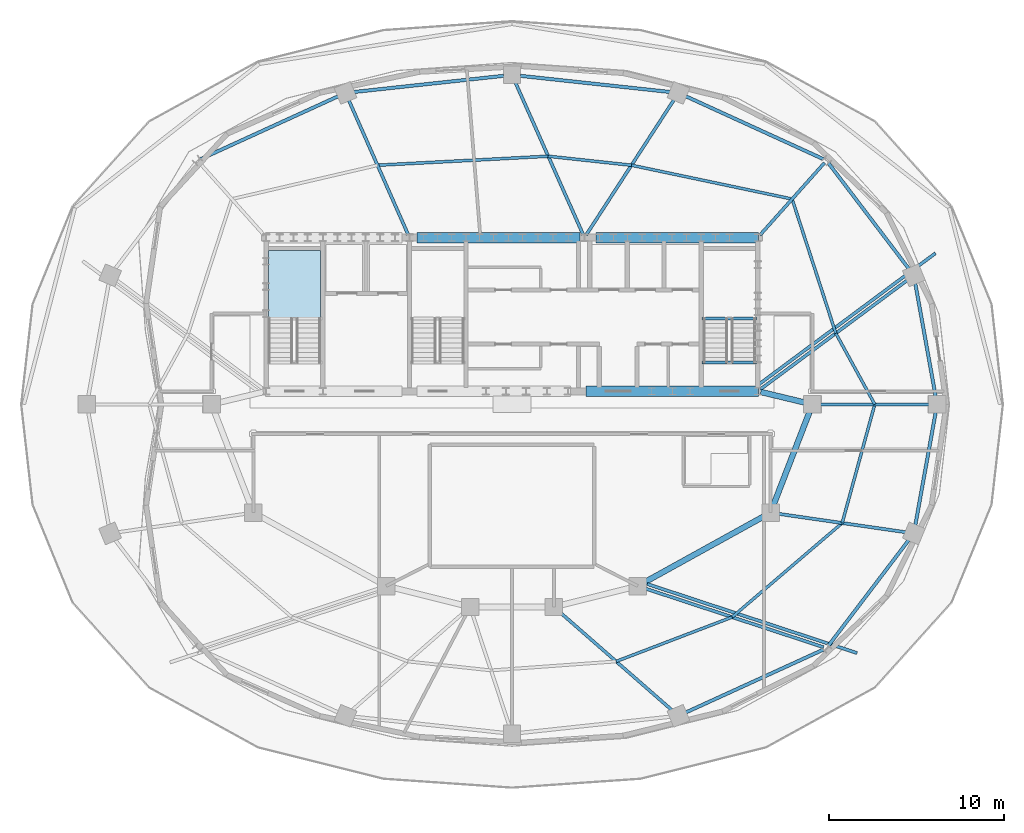
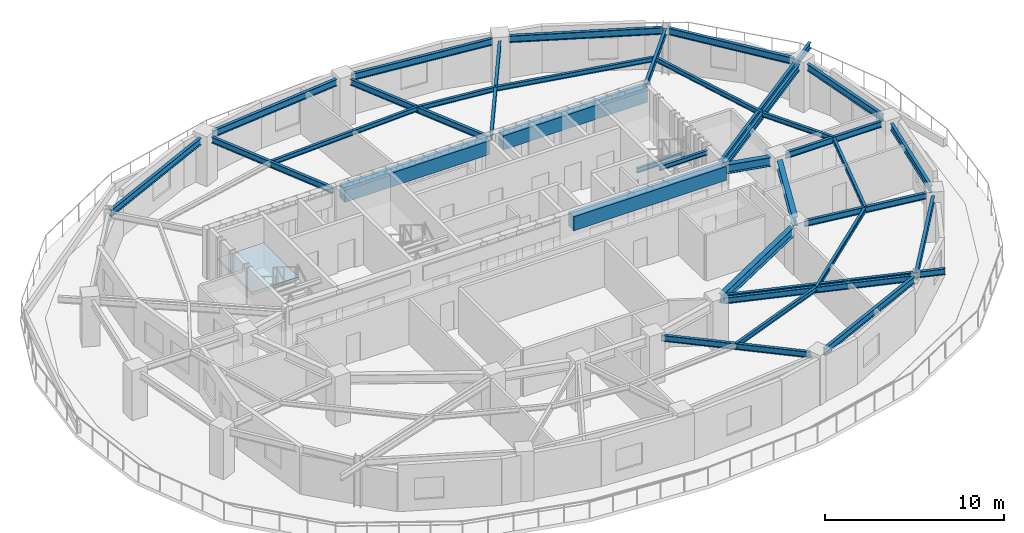
# One storey, part 2 of 10: 36 beams, 1 slab, 1 element without a shape of its own.
"""IFC4 building model written with IfcOpenShell, lengths in metres."""

from ifc_helpers import new_model, si_unit, direction, frame, origin, origin_2d, place, context, subcontext, project, spatial, polyline, rectangle, i_section, outline, extrude, material, layer, layer_set, material_profile, profile_set, type_object, element, aggregate, save


model = new_model("IFC4")

# Units and contexts
model_context = context("Model", 3, precision=1e-05, world=origin(), true_north=direction((0.0, 1.0)))
body_context = subcontext(model_context, "Body", "Model", "MODEL_VIEW")
ifc_project = project(units=[si_unit("LENGTHUNIT", "METRE"), si_unit("AREAUNIT", "SQUARE_METRE"), si_unit("VOLUMEUNIT", "CUBIC_METRE"), si_unit("PLANEANGLEUNIT", "RADIAN"), si_unit("MASSUNIT", "GRAM", prefix="KILO")], contexts=[model_context])

# Site, building, storey
site_placement = place(None, origin())
site = spatial("IfcSite", under=ifc_project, at=site_placement, CompositionType="ELEMENT")
building_placement = place(site_placement, origin())
building = spatial("IfcBuilding", under=site, at=building_placement, Name="Haldorwick Loom Tower", CompositionType="ELEMENT")
storey_placement = place(building_placement, frame((0.0, 0.0, 240.89990234375)))
storey = spatial("IfcBuildingStorey", under=building, at=storey_placement, Name="L65", CompositionType="ELEMENT", Elevation=240.89990234375)

# Beams
ifc_material_1 = material(Name="Steel CSA G40.21 350W", Category="steel")
ifc_material_profile_1 = material_profile(ifc_material_1, i_section(OverallWidth=0.179931640625, OverallDepth=0.4130859375, WebThickness=0.009765625, FlangeThickness=0.01611328125, at=origin_2d()), Name="W410X74", Category="steel")
ifc_profile_set_1 = profile_set([ifc_material_profile_1], Name="Steel CSA G40.21 350W")
beam_type_1 = type_object("IfcBeamType", Name="STR-BM-BAL410", PredefinedType="BEAM", material=ifc_profile_set_1)
beam_1_placement = place(storey_placement, frame((43.73876953125, 15.71728515625, 3.003662109375), z_axis=(0.949823383564, -0.312786732512, 0.0), x_axis=(0.312786732512, 0.949823383564, 0.0)))
element("IfcBeam", 1, at=beam_1_placement, inside=storey, type_object=beam_type_1, Name="L65 Continuous Back-Spanned Balcony Beam 1", PredefinedType="BEAM", context=body_context, shape_type="SweptSolid", body=[
    extrude(i_section(OverallWidth=0.179931640625, OverallDepth=0.4130859375, WebThickness=0.009765625, FlangeThickness=0.01611328125, at=origin_2d()), origin(), (0.0, 0.0, 1.0), 12.65087890625),
])
beam_2_placement = place(storey_placement, frame((50.0458984375, 27.080810546875, 3.003662109375), z_axis=(0.802800628814, 0.596247557962, 0.0), x_axis=(-0.596247557962, 0.802800628814, 0.0)))
element("IfcBeam", 2, at=beam_2_placement, inside=storey, type_object=beam_type_1, Name="L65 Continuous Back-Spanned Balcony Beam 4", PredefinedType="BEAM", context=body_context, shape_type="SweptSolid", body=[
    extrude(i_section(OverallWidth=0.179931640625, OverallDepth=0.4130859375, WebThickness=0.009765625, FlangeThickness=0.01611328125, at=origin_2d()), origin(), (0.0, 0.0, 1.0), 12.701416015625),
])
ifc_material_2 = material(Name="Concrete C50 (50 MPa)", Category="concrete")
ifc_material_profile_2 = material_profile(ifc_material_2, rectangle(XDim=0.60009765625, YDim=0.949951171875, at=origin_2d()), Name="RC600X950", Category="concrete")
ifc_profile_set_2 = profile_set([ifc_material_profile_2], Name="Concrete C50 (50 MPa)")
beam_type_2 = type_object("IfcBeamType", Name="STR-BM-CB950", PredefinedType="LINTEL", material=ifc_profile_set_2)
beam_3_placement = place(storey_placement, frame((30.550048828125, 35.550048828125, 2.735107421875), z_axis=(1.0, 0.0, 0.0), x_axis=(0.0, 1.0, 0.0)))
element("IfcBeam", 3, at=beam_3_placement, inside=storey, type_object=beam_type_2, Name="L65 Core Coupling Beam CB-N2", PredefinedType="LINTEL", context=body_context, shape_type="SweptSolid", body=[
    extrude(rectangle(XDim=0.60009765625, YDim=0.949951171875, at=origin_2d()), origin(), (0.0, 0.0, 1.0), 9.349853515625),
])
beam_4_placement = place(storey_placement, frame((40.800048828125, 35.550048828125, 2.735107421875), z_axis=(1.0, 0.0, 0.0), x_axis=(0.0, 1.0, 0.0)))
element("IfcBeam", 4, at=beam_4_placement, inside=storey, type_object=beam_type_2, Name="L65 Core Coupling Beam CB-N3", PredefinedType="LINTEL", context=body_context, shape_type="SweptSolid", body=[
    extrude(rectangle(XDim=0.60009765625, YDim=0.949951171875, at=origin_2d()), origin(), (0.0, 0.0, 1.0), 9.300048828125),
])
beam_5_placement = place(storey_placement, frame((40.25, 26.75, 2.735107421875), z_axis=(1.0, 0.0, 0.0), x_axis=(0.0, 1.0, 0.0)))
element("IfcBeam", 5, at=beam_5_placement, inside=storey, type_object=beam_type_2, Name="L65 Core Coupling Beam CB-S3", PredefinedType="LINTEL", context=body_context, shape_type="SweptSolid", body=[
    extrude(rectangle(XDim=0.60009765625, YDim=0.949951171875, at=origin_2d()), origin(), (0.0, 0.0, 1.0), 9.85009765625),
])
ifc_material_profile_3 = material_profile(ifc_material_1, i_section(OverallWidth=0.166015625, OverallDepth=0.31298828125, WebThickness=0.006591796875, FlangeThickness=0.01123046875, at=origin_2d()), Name="W310X45", Category="steel")
ifc_profile_set_3 = profile_set([ifc_material_profile_3], Name="Steel CSA G40.21 350W")
beam_type_3 = type_object("IfcBeamType", Name="STR-BM-J310", PredefinedType="JOIST", material=ifc_profile_set_3)
beam_6_placement = place(storey_placement, frame((56.768310546875, 26.0, 3.0537109375), z_axis=(-0.480863931781, 0.876795232145, 0.0), x_axis=(-0.876795232145, -0.480863931781, 0.0)))
element("IfcBeam", 6, at=beam_6_placement, inside=storey, type_object=beam_type_3, Name="L65 Mid-Bay Secondary Joist 1", PredefinedType="JOIST", context=body_context, shape_type="SweptSolid", body=[
    extrude(i_section(OverallWidth=0.166015625, OverallDepth=0.31298828125, WebThickness=0.006591796875, FlangeThickness=0.01123046875, at=origin_2d()), origin(), (0.0, 0.0, 1.0), 4.639404296875),
])
beam_7_placement = place(storey_placement, frame((54.537353515625, 30.06787109375, 3.0537109375), z_axis=(-0.309277990337, 0.95097167397, 0.0), x_axis=(-0.95097167397, -0.309277990337, 0.0)))
element("IfcBeam", 7, at=beam_7_placement, inside=storey, type_object=beam_type_3, Name="L65 Mid-Bay Secondary Joist 2", PredefinedType="JOIST", context=body_context, shape_type="SweptSolid", body=[
    extrude(i_section(OverallWidth=0.166015625, OverallDepth=0.31298828125, WebThickness=0.006591796875, FlangeThickness=0.01123046875, at=origin_2d()), origin(), (0.0, 0.0, 1.0), 8.08251953125),
])
beam_8_placement = place(storey_placement, frame((52.03759765625, 37.754150390625, 3.0537109375), z_axis=(-0.978553918403, 0.205990846344, 0.0), x_axis=(-0.205990846344, -0.978553918403, 0.0)))
element("IfcBeam", 8, at=beam_8_placement, inside=storey, type_object=beam_type_3, Name="L65 Mid-Bay Secondary Joist 3", PredefinedType="JOIST", context=body_context, shape_type="SweptSolid", body=[
    extrude(i_section(OverallWidth=0.166015625, OverallDepth=0.31298828125, WebThickness=0.006591796875, FlangeThickness=0.01123046875, at=origin_2d()), origin(), (0.0, 0.0, 1.0), 9.39990234375),
])
beam_9_placement = place(storey_placement, frame((42.83935546875, 39.6904296875, 3.0537109375), z_axis=(-0.994216460534, 0.10739473732, 0.0), x_axis=(-0.10739473732, -0.994216460534, 0.0)))
element("IfcBeam", 9, at=beam_9_placement, inside=storey, type_object=beam_type_3, Name="L65 Mid-Bay Secondary Joist 4", PredefinedType="JOIST", context=body_context, shape_type="SweptSolid", body=[
    extrude(i_section(OverallWidth=0.166015625, OverallDepth=0.31298828125, WebThickness=0.006591796875, FlangeThickness=0.01123046875, at=origin_2d()), origin(), (0.0, 0.0, 1.0), 4.792236328125),
])
beam_10_placement = place(storey_placement, frame((38.074951171875, 40.205078125, 3.0537109375), z_axis=(-0.998616726661, -0.052579779693, 0.0), x_axis=(0.052579779693, -0.998616726661, 0.0)))
element("IfcBeam", 10, at=beam_10_placement, inside=storey, type_object=beam_type_3, Name="L65 Mid-Bay Secondary Joist 5", PredefinedType="JOIST", context=body_context, shape_type="SweptSolid", body=[
    extrude(i_section(OverallWidth=0.166015625, OverallDepth=0.31298828125, WebThickness=0.006591796875, FlangeThickness=0.01123046875, at=origin_2d()), origin(), (0.0, 0.0, 1.0), 9.787841796875),
])
beam_11_placement = place(storey_placement, frame((41.96435546875, 11.284423828125, 3.0537109375), z_axis=(0.934134056558, 0.356922350628, 0.0), x_axis=(-0.356922350628, 0.934134056558, 0.0)))
element("IfcBeam", 11, at=beam_11_placement, inside=storey, type_object=beam_type_3, Name="L65 Mid-Bay Secondary Joist 14", PredefinedType="JOIST", context=body_context, shape_type="SweptSolid", body=[
    extrude(i_section(OverallWidth=0.166015625, OverallDepth=0.31298828125, WebThickness=0.006591796875, FlangeThickness=0.01123046875, at=origin_2d()), origin(), (0.0, 0.0, 1.0), 7.106201171875),
])
beam_12_placement = place(storey_placement, frame((48.6025390625, 13.82080078125, 3.0537109375), z_axis=(0.760066902561, 0.649844830426, 0.0), x_axis=(-0.649844830426, 0.760066902561, 0.0)))
element("IfcBeam", 12, at=beam_12_placement, inside=storey, type_object=beam_type_3, Name="L65 Mid-Bay Secondary Joist 15", PredefinedType="JOIST", context=body_context, shape_type="SweptSolid", body=[
    extrude(i_section(OverallWidth=0.166015625, OverallDepth=0.31298828125, WebThickness=0.006591796875, FlangeThickness=0.01123046875, at=origin_2d()), origin(), (0.0, 0.0, 1.0), 8.28857421875),
])
beam_13_placement = place(storey_placement, frame((54.90234375, 19.20703125, 3.0537109375), z_axis=(0.264879381431, 0.964281552915, 0.0), x_axis=(-0.964281552915, 0.264879381431, 0.0)))
element("IfcBeam", 13, at=beam_13_placement, inside=storey, type_object=beam_type_3, Name="L65 Mid-Bay Secondary Joist 16", PredefinedType="JOIST", context=body_context, shape_type="SweptSolid", body=[
    extrude(i_section(OverallWidth=0.166015625, OverallDepth=0.31298828125, WebThickness=0.006591796875, FlangeThickness=0.01123046875, at=origin_2d()), origin(), (0.0, 0.0, 1.0), 7.044677734375),
])
ifc_material_profile_4 = material_profile(ifc_material_1, i_section(OverallWidth=0.179931640625, OverallDepth=0.4130859375, WebThickness=0.009765625, FlangeThickness=0.01611328125, at=origin_2d()), Name="W410X74", Category="steel")
ifc_profile_set_4 = profile_set([ifc_material_profile_4], Name="Steel CSA G40.21 350W")
beam_type_4 = type_object("IfcBeamType", Name="STR-BM-J410", PredefinedType="JOIST", material=ifc_profile_set_4)
beam_14_placement = place(storey_placement, frame((53.675048828125, 26.0, 3.003662109375), z_axis=(1.0, 0.0, 0.0), x_axis=(0.0, 1.0, 0.0)))
element("IfcBeam", 14, at=beam_14_placement, inside=storey, type_object=beam_type_4, Name="L65 Radial Floor Girder 1", PredefinedType="JOIST", context=body_context, shape_type="SweptSolid", body=[
    extrude(i_section(OverallWidth=0.179931640625, OverallDepth=0.4130859375, WebThickness=0.009765625, FlangeThickness=0.01611328125, at=origin_2d()), origin(), (0.0, 0.0, 1.0), 6.186767578125),
])
beam_15_placement = place(storey_placement, frame((50.212890625, 26.856201171875, 3.003662109375), z_axis=(0.802807271117, 0.596238614518, 0.0), x_axis=(-0.596238614518, 0.802807271117, 0.0)))
element("IfcBeam", 15, at=beam_15_placement, inside=storey, type_object=beam_type_4, Name="L65 Radial Floor Girder 2", PredefinedType="JOIST", context=body_context, shape_type="SweptSolid", body=[
    extrude(i_section(OverallWidth=0.179931640625, OverallDepth=0.4130859375, WebThickness=0.009765625, FlangeThickness=0.01611328125, at=origin_2d()), origin(), (0.0, 0.0, 1.0), 10.476318359375),
])
beam_16_placement = place(storey_placement, frame((50.1884765625, 35.682861328125, 3.003662109375), z_axis=(0.665966842703, 0.745981343212, 0.0), x_axis=(-0.745981343212, 0.665966842703, 0.0)))
element("IfcBeam", 16, at=beam_16_placement, inside=storey, type_object=beam_type_4, Name="L65 Radial Floor Girder 3", PredefinedType="JOIST", context=body_context, shape_type="SweptSolid", body=[
    extrude(i_section(OverallWidth=0.179931640625, OverallDepth=0.4130859375, WebThickness=0.009765625, FlangeThickness=0.01611328125, at=origin_2d()), origin(), (0.0, 0.0, 1.0), 5.55322265625),
])
beam_17_placement = place(storey_placement, frame((40.2470703125, 35.69921875, 3.003662109375), z_axis=(0.544701697466, 0.838629871145, 0.0), x_axis=(-0.838629871145, 0.544701697466, 0.0)))
element("IfcBeam", 17, at=beam_17_placement, inside=storey, type_object=beam_type_4, Name="L65 Radial Floor Girder 4", PredefinedType="JOIST", context=body_context, shape_type="SweptSolid", body=[
    extrude(i_section(OverallWidth=0.179931640625, OverallDepth=0.4130859375, WebThickness=0.009765625, FlangeThickness=0.01611328125, at=origin_2d()), origin(), (0.0, 0.0, 1.0), 9.221435546875),
])
beam_18_placement = place(storey_placement, frame((40.077392578125, 35.712646484375, 3.003662109375), z_axis=(-0.407128364689, 0.913370951293, 0.0), x_axis=(-0.913370951293, -0.407128364689, 0.0)))
element("IfcBeam", 18, at=beam_18_placement, inside=storey, type_object=beam_type_4, Name="L65 Radial Floor Girder 5", PredefinedType="JOIST", context=body_context, shape_type="SweptSolid", body=[
    extrude(i_section(OverallWidth=0.179931640625, OverallDepth=0.4130859375, WebThickness=0.009765625, FlangeThickness=0.01611328125, at=origin_2d()), origin(), (0.0, 0.0, 1.0), 9.5400390625),
])
beam_19_placement = place(storey_placement, frame((30.05810546875, 35.712890625, 3.003662109375), z_axis=(-0.404158193408, 0.914689102756, 0.0), x_axis=(-0.914689102756, -0.404158193408, 0.0)))
element("IfcBeam", 19, at=beam_19_placement, inside=storey, type_object=beam_type_4, Name="L65 Radial Floor Girder 6", PredefinedType="JOIST", context=body_context, shape_type="SweptSolid", body=[
    extrude(i_section(OverallWidth=0.179931640625, OverallDepth=0.4130859375, WebThickness=0.009765625, FlangeThickness=0.01611328125, at=origin_2d()), origin(), (0.0, 0.0, 1.0), 8.400146484375),
])
beam_20_placement = place(storey_placement, frame((38.757568359375, 14.08740234375, 3.003662109375), z_axis=(0.752935231169, -0.65809462668, 0.0), x_axis=(0.65809462668, 0.752935231169, 0.0)))
element("IfcBeam", 20, at=beam_20_placement, inside=storey, type_object=beam_type_4, Name="L65 Radial Floor Girder 14", PredefinedType="JOIST", context=body_context, shape_type="SweptSolid", body=[
    extrude(i_section(OverallWidth=0.179931640625, OverallDepth=0.4130859375, WebThickness=0.009765625, FlangeThickness=0.01611328125, at=origin_2d()), origin(), (0.0, 0.0, 1.0), 8.51806640625),
])
beam_21_placement = place(storey_placement, frame((43.651123046875, 15.451416015625, 3.003662109375), z_axis=(0.94982454623, -0.312783201882, 0.0), x_axis=(0.312783201882, 0.94982454623, 0.0)))
element("IfcBeam", 21, at=beam_21_placement, inside=storey, type_object=beam_type_4, Name="L65 Radial Floor Girder 15", PredefinedType="JOIST", context=body_context, shape_type="SweptSolid", body=[
    extrude(i_section(OverallWidth=0.179931640625, OverallDepth=0.4130859375, WebThickness=0.009765625, FlangeThickness=0.01611328125, at=origin_2d()), origin(), (0.0, 0.0, 1.0), 10.72314453125),
])
beam_22_placement = place(storey_placement, frame((51.27001953125, 19.732177734375, 3.003662109375), z_axis=(0.989713971376, -0.143060318968, 0.0), x_axis=(0.143060318968, 0.989713971376, 0.0)))
element("IfcBeam", 22, at=beam_22_placement, inside=storey, type_object=beam_type_4, Name="L65 Radial Floor Girder 16", PredefinedType="JOIST", context=body_context, shape_type="SweptSolid", body=[
    extrude(i_section(OverallWidth=0.179931640625, OverallDepth=0.4130859375, WebThickness=0.009765625, FlangeThickness=0.01611328125, at=origin_2d()), origin(), (0.0, 0.0, 1.0), 7.33984375),
])
ifc_material_profile_5 = material_profile(ifc_material_1, i_section(OverallWidth=0.193115234375, OverallDepth=0.466064453125, WebThickness=0.011474609375, FlangeThickness=0.01904296875, at=origin_2d()), Name="W460X97", Category="steel")
ifc_profile_set_5 = profile_set([ifc_material_profile_5], Name="Steel CSA G40.21 350W")
beam_type_5 = type_object("IfcBeamType", Name="STR-BM-SP460", PredefinedType="SPANDREL", material=ifc_profile_set_5)
beam_23_placement = place(storey_placement, frame((60.25244140625, 26.467529296875, 2.97705078125), z_axis=(-0.177515201984, 0.984118058499, 0.0), x_axis=(-0.984118058499, -0.177515201984, 0.0)))
element("IfcBeam", 23, at=beam_23_placement, inside=storey, type_object=beam_type_5, Name="L65 Perimeter Spandrel 1", PredefinedType="SPANDREL", context=body_context, shape_type="SweptSolid", body=[
    extrude(i_section(OverallWidth=0.193115234375, OverallDepth=0.466064453125, WebThickness=0.011474609375, FlangeThickness=0.01904296875, at=origin_2d()), origin(), (0.0, 0.0, 1.0), 6.5546875),
])
beam_24_placement = place(storey_placement, frame((58.717041015625, 33.763916015625, 2.97705078125), z_axis=(-0.605410439126, 0.795913437629, 0.0), x_axis=(-0.795913437629, -0.605410439126, 0.0)))
element("IfcBeam", 24, at=beam_24_placement, inside=storey, type_object=beam_type_5, Name="L65 Perimeter Spandrel 2", PredefinedType="SPANDREL", context=body_context, shape_type="SweptSolid", body=[
    extrude(i_section(OverallWidth=0.193115234375, OverallDepth=0.466064453125, WebThickness=0.011474609375, FlangeThickness=0.01904296875, at=origin_2d()), origin(), (0.0, 0.0, 1.0), 7.604736328125),
])
beam_25_placement = place(storey_placement, frame((53.84326171875, 40.0322265625, 2.97705078125), z_axis=(-0.909567887863, 0.415555360172, 0.0), x_axis=(-0.415555360172, -0.909567887863, 0.0)))
element("IfcBeam", 25, at=beam_25_placement, inside=storey, type_object=beam_type_5, Name="L65 Perimeter Spandrel 3", PredefinedType="SPANDREL", context=body_context, shape_type="SweptSolid", body=[
    extrude(i_section(OverallWidth=0.193115234375, OverallDepth=0.466064453125, WebThickness=0.011474609375, FlangeThickness=0.01904296875, at=origin_2d()), origin(), (0.0, 0.0, 1.0), 8.666259765625),
])
for number, where, z_axis, x_axis, name in (
    (26, (45.056396484375, 43.8818359375, 2.97705078125), (-0.994216353781, 0.107395725588, 0.0), (-0.107395725588, -0.994216353781, 0.0), "L65 Perimeter Spandrel 4"),
    (27, (35.527587890625, 44.80908203125, 2.97705078125), (-0.994216353781, -0.107395725588, 0.0), (0.107395725588, -0.994216353781, 0.0), "L65 Perimeter Spandrel 5"),
):
    element("IfcBeam", number, at=place(storey_placement, frame(where, z_axis=z_axis, x_axis=x_axis)), inside=storey, type_object=beam_type_5, Name=name, PredefinedType="SPANDREL", context=body_context, shape_type="SweptSolid", body=[
        extrude(i_section(OverallWidth=0.193115234375, OverallDepth=0.466064453125, WebThickness=0.011474609375, FlangeThickness=0.01904296875, at=origin_2d()), origin(), (0.0, 0.0, 1.0), 8.634033203125),
    ])
for number, where, z_axis, x_axis, name in (
    (28, (26.039306640625, 43.633544921875, 2.97705078125), (-0.909567887863, -0.415555360172, 0.0), (0.415555360172, -0.909567887863, 0.0), "L65 Perimeter Spandrel 6"),
    (29, (45.960693359375, 8.366455078125, 2.97705078125), (0.909567887863, 0.415555360172, 0.0), (-0.415555360172, 0.909567887863, 0.0), "L65 Perimeter Spandrel 14"),
):
    element("IfcBeam", number, at=place(storey_placement, frame(where, z_axis=z_axis, x_axis=x_axis)), inside=storey, type_object=beam_type_5, Name=name, PredefinedType="SPANDREL", context=body_context, shape_type="SweptSolid", body=[
        extrude(i_section(OverallWidth=0.193115234375, OverallDepth=0.466064453125, WebThickness=0.011474609375, FlangeThickness=0.01904296875, at=origin_2d()), origin(), (0.0, 0.0, 1.0), 8.666259765625),
    ])
beam_26_placement = place(storey_placement, frame((54.113037109375, 12.183349609375, 2.97705078125), z_axis=(0.605410439126, 0.795913437629, 0.0), x_axis=(-0.795913437629, 0.605410439126, 0.0)))
element("IfcBeam", 30, at=beam_26_placement, inside=storey, type_object=beam_type_5, Name="L65 Perimeter Spandrel 15", PredefinedType="SPANDREL", context=body_context, shape_type="SweptSolid", body=[
    extrude(i_section(OverallWidth=0.193115234375, OverallDepth=0.466064453125, WebThickness=0.011474609375, FlangeThickness=0.01904296875, at=origin_2d()), origin(), (0.0, 0.0, 1.0), 7.604736328125),
])
beam_27_placement = place(storey_placement, frame((59.0888671875, 19.081787109375, 2.97705078125), z_axis=(0.177515201984, 0.984118058499, 0.0), x_axis=(-0.984118058499, 0.177515201984, 0.0)))
element("IfcBeam", 31, at=beam_27_placement, inside=storey, type_object=beam_type_5, Name="L65 Perimeter Spandrel 16", PredefinedType="SPANDREL", context=body_context, shape_type="SweptSolid", body=[
    extrude(i_section(OverallWidth=0.193115234375, OverallDepth=0.466064453125, WebThickness=0.011474609375, FlangeThickness=0.01904296875, at=origin_2d()), origin(), (0.0, 0.0, 1.0), 6.5546875),
])
ifc_material_profile_6 = material_profile(ifc_material_1, i_section(OverallWidth=0.166015625, OverallDepth=0.31298828125, WebThickness=0.006591796875, FlangeThickness=0.01123046875, at=origin_2d()), Name="W310X45", Category="steel")
ifc_profile_set_6 = profile_set([ifc_material_profile_6], Name="Steel CSA G40.21 350W")
beam_type_6 = type_object("IfcBeamType", Name="STR-BM-STRM", PredefinedType="BEAM", material=ifc_profile_set_6)
for number, where, z_axis, x_axis, name in (
    (32, (46.889892578125, 28.39990234375, 3.0537109375), (1.0, 0.0, 0.0), (0.0, 1.0, 0.0), "L65 Stair ST-02 Landing Edge Trimmer"),
    (33, (46.889892578125, 30.919921875, 1.36865234375), (1.0, 0.0, 0.0), (0.0, 1.0, 0.0), "L65 Stair ST-02 Half-Landing Trimmer 1"),
):
    element("IfcBeam", number, at=place(storey_placement, frame(where, z_axis=z_axis, x_axis=x_axis)), inside=storey, type_object=beam_type_6, Name=name, PredefinedType="BEAM", context=body_context, shape_type="SweptSolid", body=[
        extrude(i_section(OverallWidth=0.166015625, OverallDepth=0.31298828125, WebThickness=0.006591796875, FlangeThickness=0.01123046875, at=origin_2d()), origin(), (0.0, 0.0, 1.0), 3.1201171875),
    ])
ifc_material_profile_7 = material_profile(ifc_material_1, i_section(OverallWidth=0.324951171875, OverallDepth=0.615966796875, WebThickness=0.013916015625, FlangeThickness=0.021484375, at=origin_2d()), Name="W610X174", Category="steel")
ifc_profile_set_7 = profile_set([ifc_material_profile_7], Name="Steel CSA G40.21 350W")
beam_type_7 = type_object("IfcBeamType", Name="STR-BM-W610A", PredefinedType="BEAM", material=ifc_profile_set_7)
beam_28_placement = place(storey_placement, frame((50.2431640625, 26.70849609375, 2.902099609375), z_axis=(0.972464127734, -0.233052612665, 0.0), x_axis=(0.233052612665, 0.972464127734, 0.0)))
element("IfcBeam", 34, at=beam_28_placement, inside=storey, type_object=beam_type_7, Name="L65 Inner Ring Girder 1", PredefinedType="BEAM", context=body_context, shape_type="SweptSolid", body=[
    extrude(i_section(OverallWidth=0.324951171875, OverallDepth=0.615966796875, WebThickness=0.013916015625, FlangeThickness=0.021484375, at=origin_2d()), origin(), (0.0, 0.0, 1.0), 2.5654296875),
])
beam_29_placement = place(storey_placement, frame((53.028564453125, 25.556884765625, 2.902099609375), z_axis=(-0.36101093026, -0.93256158415, 0.0), x_axis=(0.93256158415, -0.36101093026, 0.0)))
element("IfcBeam", 35, at=beam_29_placement, inside=storey, type_object=beam_type_7, Name="L65 Inner Ring Girder 2", PredefinedType="BEAM", context=body_context, shape_type="SweptSolid", body=[
    extrude(i_section(OverallWidth=0.324951171875, OverallDepth=0.615966796875, WebThickness=0.013916015625, FlangeThickness=0.021484375, at=origin_2d()), origin(), (0.0, 0.0, 1.0), 5.6982421875),
])
beam_30_placement = place(storey_placement, frame((50.38427734375, 19.5703125, 2.902099609375), z_axis=(-0.875243645673, -0.483682293152, 0.0), x_axis=(0.483682293152, -0.875243645673, 0.0)))
element("IfcBeam", 36, at=beam_30_placement, inside=storey, type_object=beam_type_7, Name="L65 Inner Ring Girder 3", PredefinedType="BEAM", context=body_context, shape_type="SweptSolid", body=[
    extrude(i_section(OverallWidth=0.324951171875, OverallDepth=0.615966796875, WebThickness=0.013916015625, FlangeThickness=0.021484375, at=origin_2d()), origin(), (0.0, 0.0, 1.0), 7.7333984375),
])

# Stair, slab
ifc_material_3 = material(Name="Concrete C40 (40 MPa)", Category="concrete")
stair_type = type_object("IfcStairType", Name="STR-STR-CORE", PredefinedType="HALF_TURN_STAIR", material=ifc_material_3)
stair_placement = place(storey_placement, origin())
stair = element("IfcStair", 37, at=stair_placement, inside=storey, type_object=stair_type, Name="L65 Exit Stair ST-01", PredefinedType="HALF_TURN_STAIR")
ifc_layer = layer(ifc_material_3, 0.199951171875, Name="Concrete C40 (40 MPa)", Category="concrete")
ifc_layer_set = layer_set([ifc_layer], Name="Concrete C40 (40 MPa)")
slab_type = type_object("IfcSlabType", Name="STR-SLB-LAND200", PredefinedType="LANDING", material=ifc_layer_set)
slab_placement = place(storey_placement, frame((0.0, 0.0, 1.525146484375)))
slab = element("IfcSlab", 38, at=slab_placement, type_object=slab_type, Name="ST-01 landing 1", PredefinedType="LANDING", context=body_context, shape_type="SweptSolid", body=[
    extrude(outline(polyline([(25.050048828125, 30.919921875), (25.050048828125, 34.800048828125), (22.050048828125, 34.800048828125), (22.050048828125, 30.919921875), (25.050048828125, 30.919921875)])), origin(), (0.0, 0.0, 1.0), 0.199951171875),
])
aggregate(stair, [slab])

save(model, "model.ifc")
